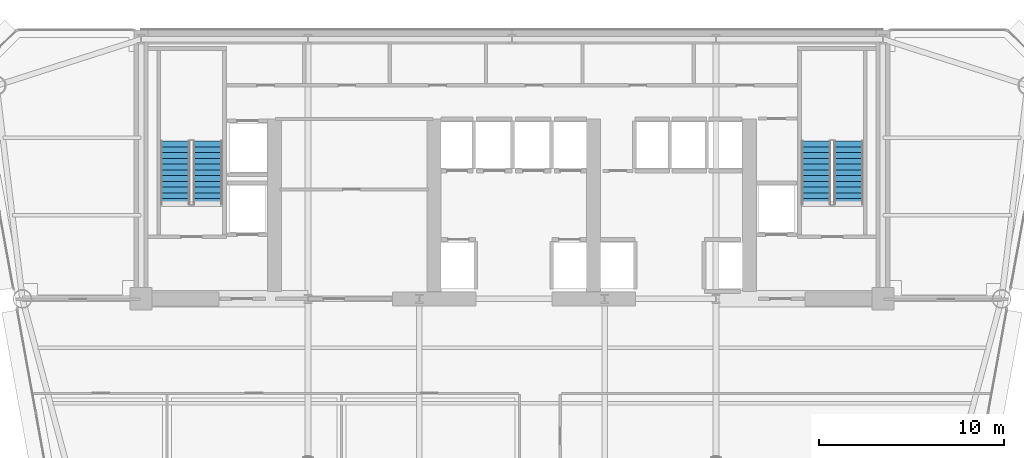
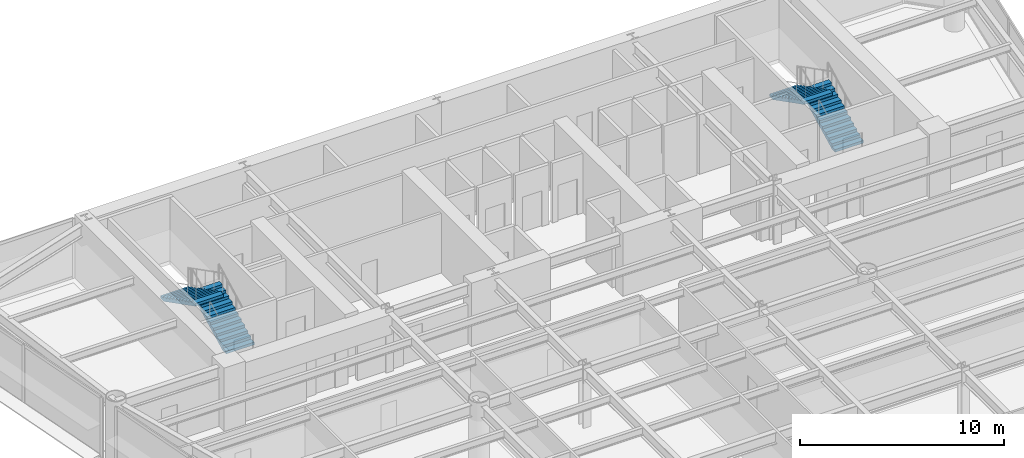
# One storey, part 10 of 14: 4 stair flights, 2 elements without a shape of their own.
"""IFC4 building model written with IfcOpenShell, lengths in metres."""

from ifc_helpers import new_model, si_unit, direction, frame, origin, place, context, subcontext, project, spatial, polyline, outline, extrude, material, type_object, element, aggregate, save


model = new_model("IFC4")

# Units and contexts
model_context = context("Model", 3, precision=1e-05, world=origin(), true_north=direction((0.0, 1.0)))
body_context = subcontext(model_context, "Body", "Model", "MODEL_VIEW")
ifc_project = project(units=[si_unit("LENGTHUNIT", "METRE"), si_unit("AREAUNIT", "SQUARE_METRE"), si_unit("VOLUMEUNIT", "CUBIC_METRE"), si_unit("PLANEANGLEUNIT", "RADIAN"), si_unit("MASSUNIT", "GRAM", prefix="KILO")], contexts=[model_context])

# Site, building, storey
site_placement = place(None, origin())
site = spatial("IfcSite", under=ifc_project, at=site_placement, CompositionType="ELEMENT")
building_placement = place(site_placement, origin())
building = spatial("IfcBuilding", under=site, at=building_placement, Name="Vaeldorn Concourse Tower", CompositionType="ELEMENT")
storey_placement = place(building_placement, frame((0.0, 0.0, 141.39990234375)))
storey = spatial("IfcBuildingStorey", under=building, at=storey_placement, Name="L36", CompositionType="ELEMENT", Elevation=141.39990234375)

# Stair, stair flights
ifc_material = material(Name="Precast concrete C40/50", Category="concrete")
stair_type = type_object("IfcStairType", Name="STR-DOG-24x158", PredefinedType="HALF_TURN_STAIR", material=ifc_material)
stair_1_placement = place(storey_placement, origin())
stair_1 = element("IfcStair", 1, at=stair_1_placement, inside=storey, type_object=stair_type, Name="L36 West Core Exit Stair ST-1", PredefinedType="HALF_TURN_STAIR")
stair_flight_type = type_object("IfcStairFlightType", Name="STF-STR-12x158", PredefinedType="STRAIGHT", material=ifc_material)
stair_flight_1_placement = place(storey_placement, frame((17.60009765625, 41.60009765625, 0.0), z_axis=(0.0, 0.0, 1.0), x_axis=(0.0, 1.0, 0.0)))
stair_flight_1 = element("IfcStairFlight", 2, at=stair_flight_1_placement, type_object=stair_flight_type, Name="ST-1 flight 1", NumberOfRisers=12, NumberOfTreads=11, PredefinedType="STRAIGHT", RiserHeight=0.158333333, TreadLength=0.31, context=body_context, shape_type="SweptSolid", body=[
    extrude(outline(polyline([(0.0, 0.0), (0.0, 0.158447265625), (0.31005859375, 0.158447265625), (0.31005859375, 0.316650390625), (0.6201171875, 0.316650390625), (0.6201171875, 0.47509765625), (0.929931640625, 0.47509765625), (0.929931640625, 0.63330078125), (1.239990234375, 0.63330078125), (1.239990234375, 0.791748046875), (1.550048828125, 0.791748046875), (1.550048828125, 0.949951171875), (1.860107421875, 0.949951171875), (1.860107421875, 1.1083984375), (2.169921875, 1.1083984375), (2.169921875, 1.2666015625), (2.47998046875, 1.2666015625), (2.47998046875, 1.425048828125), (2.7900390625, 1.425048828125), (2.7900390625, 1.583251953125), (3.10009765625, 1.583251953125), (3.10009765625, 1.74169921875), (3.409912109375, 1.74169921875), (3.409912109375, 1.89990234375), (3.409912109375, 1.5732421875), (0.32958984375, 0.0), (0.0, 0.0)])), frame((0.0, 0.800048828125, 0.0), z_axis=(0.0, -1.0, 0.0), x_axis=(1.0, 0.0, 0.0)), (0.0, 0.0, 1.0), 1.60009765625),
])
stair_flight_2_placement = place(storey_placement, frame((15.85009765625, 45.010009765625, 1.900146484375), z_axis=(0.0, 0.0, 1.0), x_axis=(0.0, -1.0, 0.0)))
stair_flight_2 = element("IfcStairFlight", 3, at=stair_flight_2_placement, type_object=stair_flight_type, Name="ST-1 flight 2", NumberOfRisers=12, NumberOfTreads=11, PredefinedType="STRAIGHT", RiserHeight=0.158333333, TreadLength=0.31, context=body_context, shape_type="SweptSolid", body=[
    extrude(outline(polyline([(0.0, 0.0), (0.0, 0.158447265625), (0.31005859375, 0.158447265625), (0.31005859375, 0.316650390625), (0.6201171875, 0.316650390625), (0.6201171875, 0.47509765625), (0.929931640625, 0.47509765625), (0.929931640625, 0.63330078125), (1.239990234375, 0.63330078125), (1.239990234375, 0.791748046875), (1.550048828125, 0.791748046875), (1.550048828125, 0.949951171875), (1.860107421875, 0.949951171875), (1.860107421875, 1.1083984375), (2.169921875, 1.1083984375), (2.169921875, 1.2666015625), (2.47998046875, 1.2666015625), (2.47998046875, 1.425048828125), (2.7900390625, 1.425048828125), (2.7900390625, 1.583251953125), (3.10009765625, 1.583251953125), (3.10009765625, 1.74169921875), (3.409912109375, 1.74169921875), (3.409912109375, 1.89990234375), (3.409912109375, 1.5732421875), (0.32958984375, 0.0), (0.0, 0.0)])), frame((0.0, 0.800048828125, 0.0), z_axis=(0.0, -1.0, 0.0), x_axis=(1.0, 0.0, 0.0)), (0.0, 0.0, 1.0), 1.60009765625),
])
aggregate(stair_1, [stair_flight_1, stair_flight_2])

stair_2_placement = place(storey_placement, origin())
stair_2 = element("IfcStair", 4, at=stair_2_placement, inside=storey, type_object=stair_type, Name="L36 East Core Exit Stair ST-2", PredefinedType="HALF_TURN_STAIR")
stair_flight_3_placement = place(storey_placement, frame((52.14990234375, 41.60009765625, 0.0), z_axis=(0.0, 0.0, 1.0), x_axis=(0.0, 1.0, 0.0)))
stair_flight_3 = element("IfcStairFlight", 5, at=stair_flight_3_placement, type_object=stair_flight_type, Name="ST-2 flight 1", NumberOfRisers=12, NumberOfTreads=11, PredefinedType="STRAIGHT", RiserHeight=0.158333333, TreadLength=0.31, context=body_context, shape_type="SweptSolid", body=[
    extrude(outline(polyline([(0.0, 0.0), (0.0, 0.158447265625), (0.31005859375, 0.158447265625), (0.31005859375, 0.316650390625), (0.6201171875, 0.316650390625), (0.6201171875, 0.47509765625), (0.929931640625, 0.47509765625), (0.929931640625, 0.63330078125), (1.239990234375, 0.63330078125), (1.239990234375, 0.791748046875), (1.550048828125, 0.791748046875), (1.550048828125, 0.949951171875), (1.860107421875, 0.949951171875), (1.860107421875, 1.1083984375), (2.169921875, 1.1083984375), (2.169921875, 1.2666015625), (2.47998046875, 1.2666015625), (2.47998046875, 1.425048828125), (2.7900390625, 1.425048828125), (2.7900390625, 1.583251953125), (3.10009765625, 1.583251953125), (3.10009765625, 1.74169921875), (3.409912109375, 1.74169921875), (3.409912109375, 1.89990234375), (3.409912109375, 1.5732421875), (0.32958984375, 0.0), (0.0, 0.0)])), frame((0.0, 0.800048828125, 0.0), z_axis=(0.0, -1.0, 0.0), x_axis=(1.0, 0.0, 0.0)), (0.0, 0.0, 1.0), 1.60009765625),
])
stair_flight_4_placement = place(storey_placement, frame((50.39990234375, 45.010009765625, 1.900146484375), z_axis=(0.0, 0.0, 1.0), x_axis=(0.0, -1.0, 0.0)))
stair_flight_4 = element("IfcStairFlight", 6, at=stair_flight_4_placement, type_object=stair_flight_type, Name="ST-2 flight 2", NumberOfRisers=12, NumberOfTreads=11, PredefinedType="STRAIGHT", RiserHeight=0.158333333, TreadLength=0.31, context=body_context, shape_type="SweptSolid", body=[
    extrude(outline(polyline([(0.0, 0.0), (0.0, 0.158447265625), (0.31005859375, 0.158447265625), (0.31005859375, 0.316650390625), (0.6201171875, 0.316650390625), (0.6201171875, 0.47509765625), (0.929931640625, 0.47509765625), (0.929931640625, 0.63330078125), (1.239990234375, 0.63330078125), (1.239990234375, 0.791748046875), (1.550048828125, 0.791748046875), (1.550048828125, 0.949951171875), (1.860107421875, 0.949951171875), (1.860107421875, 1.1083984375), (2.169921875, 1.1083984375), (2.169921875, 1.2666015625), (2.47998046875, 1.2666015625), (2.47998046875, 1.425048828125), (2.7900390625, 1.425048828125), (2.7900390625, 1.583251953125), (3.10009765625, 1.583251953125), (3.10009765625, 1.74169921875), (3.409912109375, 1.74169921875), (3.409912109375, 1.89990234375), (3.409912109375, 1.5732421875), (0.32958984375, 0.0), (0.0, 0.0)])), frame((0.0, 0.800048828125, 0.0), z_axis=(0.0, -1.0, 0.0), x_axis=(1.0, 0.0, 0.0)), (0.0, 0.0, 1.0), 1.60009765625),
])
aggregate(stair_2, [stair_flight_3, stair_flight_4])

save(model, "model.ifc")
